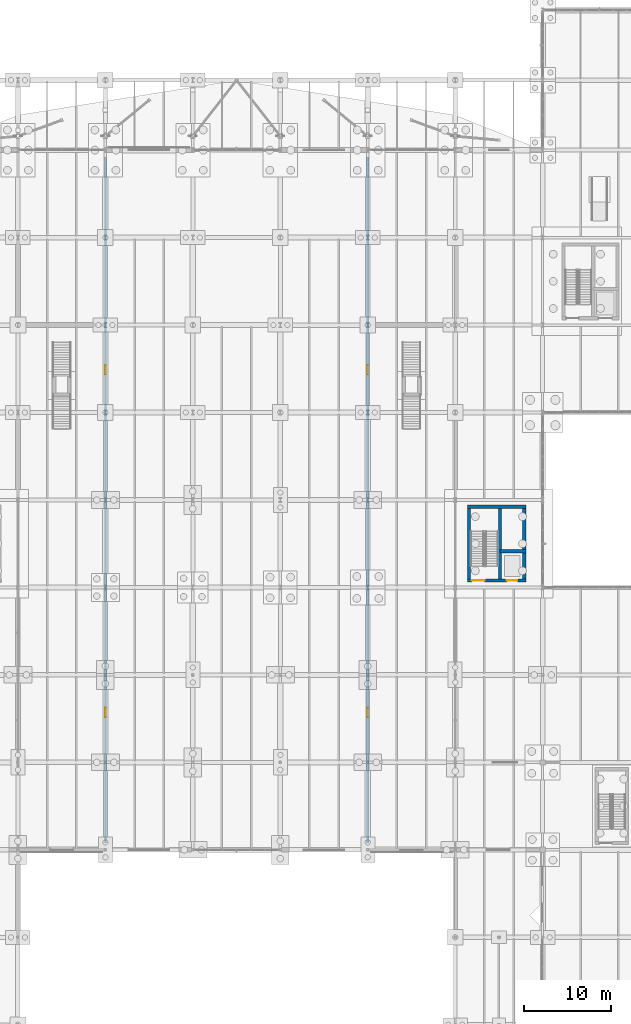
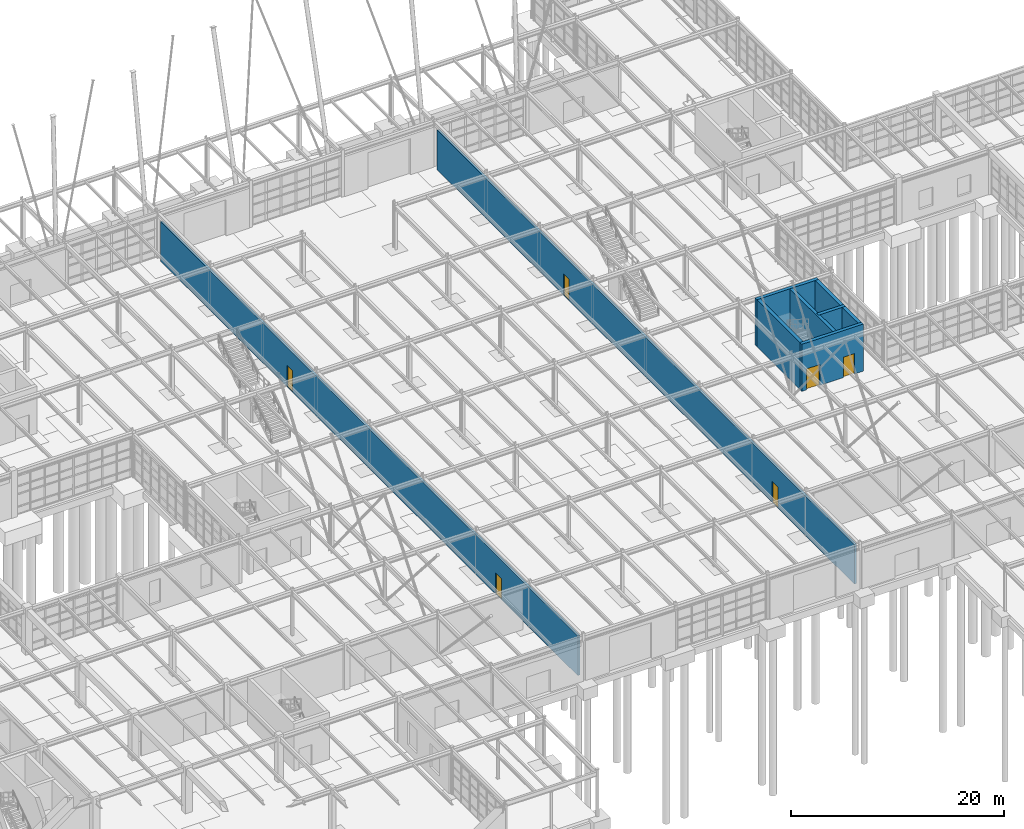
# One storey, part 123 of 145: 8 walls, 6 doors, 6 openings.
"""IFC4 building model written with IfcOpenShell, lengths in metres."""

from ifc_helpers import new_model, si_unit, direction, frame, frame_2d, origin, place, context, subcontext, project, spatial, rectangle, extrude, material, layer, layer_set, type_object, element, fill, save


model = new_model("IFC4")

# Units and contexts
model_context = context("Model", 3, precision=1e-05, world=origin(), true_north=direction((0.0, 1.0)))
body_context = subcontext(model_context, "Body", "Model", "MODEL_VIEW")
ifc_project = project(units=[si_unit("LENGTHUNIT", "METRE"), si_unit("AREAUNIT", "SQUARE_METRE"), si_unit("VOLUMEUNIT", "CUBIC_METRE"), si_unit("PLANEANGLEUNIT", "RADIAN"), si_unit("MASSUNIT", "GRAM", prefix="KILO"), si_unit("THERMODYNAMICTEMPERATUREUNIT", "KELVIN"), si_unit("POWERUNIT", "WATT")], contexts=[model_context])

# Site, building, storey
site_placement = place(None, origin())
site = spatial("IfcSite", under=ifc_project, at=site_placement, CompositionType="ELEMENT")
building_placement = place(site_placement, origin())
building = spatial("IfcBuilding", under=site, at=building_placement, Name="Korenveer Ferry Terminal", CompositionType="ELEMENT")
storey_placement = place(building_placement, origin())
storey = spatial("IfcBuildingStorey", under=building, at=storey_placement, Name="L00", CompositionType="ELEMENT", Elevation=0.0)

# Wall, openings, doors
ifc_material_1 = material(Name="Calcium silicate fire compartment masonry", Category="masonry")
ifc_layer_1 = layer(ifc_material_1, 0.239990234375)
ifc_layer_set_1 = layer_set([ifc_layer_1], Name="Calcium silicate fire compartment masonry")
wall_type_1 = type_object("IfcWallType", Name="INT-WL-COMP240", PredefinedType="PARTITIONING", material=ifc_layer_set_1)
wall_1_placement = place(storey_placement, frame((73.0, 20.800048828125, 0.0), z_axis=(0.0, 0.0, 1.0), x_axis=(0.0, 1.0, 0.0)))
wall_1 = element("IfcWall", 1, at=wall_1_placement, inside=storey, type_object=wall_type_1, Name="Interior partition PWL-L00-014", PredefinedType="PARTITIONING", context=body_context, shape_type="SweptSolid", body=[
    extrude(rectangle(XDim=78.39990234375, YDim=0.239990234375, at=frame_2d((39.199951171875, 0.0))), origin(), (0.0, 0.0, 1.0), 4.550048828125),
])
opening_1_placement = place(wall_1_placement, frame((14.37109375, 0.0, 0.0)))
opening_1 = element("IfcOpeningElement", 2, at=opening_1_placement, cuts=wall_1, Name="Opening ID-013", PredefinedType="OPENING", context=body_context, shape_type="SweptSolid", body=[
    extrude(rectangle(XDim=1.050048828125, YDim=2.449951171875, at=frame_2d((0.52490234375, 1.22509765625))), frame((0.0, 0.1298828125, 0.0), z_axis=(0.0, -1.0, 0.0), x_axis=(1.0, 0.0, 0.0)), (0.0, 0.0, 1.0), 0.260009765625),
])
opening_2_placement = place(wall_1_placement, frame((53.571044921875, 0.0, 0.0)))
opening_2 = element("IfcOpeningElement", 3, at=opening_2_placement, cuts=wall_1, Name="Opening ID-014", PredefinedType="OPENING", context=body_context, shape_type="SweptSolid", body=[
    extrude(rectangle(XDim=1.050048828125, YDim=2.449951171875, at=frame_2d((0.52490234375, 1.22509765625))), frame((0.0, 0.1298828125, 0.0), z_axis=(0.0, -1.0, 0.0), x_axis=(1.0, 0.0, 0.0)), (0.0, 0.0, 1.0), 0.260009765625),
])
ifc_material_2 = material(Name="Solid hardwood and steel acoustic door", Category="steel")
door_type_1 = type_object("IfcDoorType", Name="INT-DR-RM105B", OperationType="NOTDEFINED", PredefinedType="DOOR", material=ifc_material_2)
door_1_placement = place(opening_1_placement, origin())
door_1 = element("IfcDoor", 4, at=door_1_placement, inside=storey, type_object=door_type_1, Name="Car Park Pedestrian Escape Door W1", OperationType="SINGLE_SWING_RIGHT", OverallHeight=2.449951171875, OverallWidth=1.050048828125, PredefinedType="DOOR", context=body_context, shape_type="SweptSolid", body=[
    extrude(rectangle(XDim=1.050048828125, YDim=2.449951171875, at=frame_2d((0.52490234375, 1.22509765625))), frame((0.0, 0.02490234375, 0.0), z_axis=(0.0, -1.0, 0.0), x_axis=(1.0, 0.0, 0.0)), (0.0, 0.0, 1.0), 0.050048828125),
])
fill(opening_1, door_1)
door_2_placement = place(opening_2_placement, origin())
door_2 = element("IfcDoor", 5, at=door_2_placement, inside=storey, type_object=door_type_1, Name="Car Park Pedestrian Escape Door W2", OperationType="SINGLE_SWING_LEFT", OverallHeight=2.449951171875, OverallWidth=1.050048828125, PredefinedType="DOOR", context=body_context, shape_type="SweptSolid", body=[
    extrude(rectangle(XDim=1.050048828125, YDim=2.449951171875, at=frame_2d((0.52490234375, 1.22509765625))), frame((0.0, 0.02490234375, 0.0), z_axis=(0.0, -1.0, 0.0), x_axis=(1.0, 0.0, 0.0)), (0.0, 0.0, 1.0), 0.050048828125),
])
fill(opening_2, door_2)

wall_2_placement = place(storey_placement, frame((103.0, 20.800048828125, 0.0), z_axis=(0.0, 0.0, 1.0), x_axis=(0.0, 1.0, 0.0)))
wall_2 = element("IfcWall", 6, at=wall_2_placement, inside=storey, type_object=wall_type_1, Name="Interior partition PWL-L00-015", PredefinedType="PARTITIONING", context=body_context, shape_type="SweptSolid", body=[
    extrude(rectangle(XDim=78.39990234375, YDim=0.239990234375, at=frame_2d((39.199951171875, 0.0))), origin(), (0.0, 0.0, 1.0), 4.550048828125),
])
opening_3_placement = place(wall_2_placement, frame((14.37109375, 0.0, 0.0)))
opening_3 = element("IfcOpeningElement", 7, at=opening_3_placement, cuts=wall_2, Name="Opening ID-015", PredefinedType="OPENING", context=body_context, shape_type="SweptSolid", body=[
    extrude(rectangle(XDim=1.050048828125, YDim=2.449951171875, at=frame_2d((0.52490234375, 1.22509765625))), frame((0.0, 0.1298828125, 0.0), z_axis=(0.0, -1.0, 0.0), x_axis=(1.0, 0.0, 0.0)), (0.0, 0.0, 1.0), 0.260009765625),
])
opening_4_placement = place(wall_2_placement, frame((53.571044921875, 0.0, 0.0)))
opening_4 = element("IfcOpeningElement", 8, at=opening_4_placement, cuts=wall_2, Name="Opening ID-016", PredefinedType="OPENING", context=body_context, shape_type="SweptSolid", body=[
    extrude(rectangle(XDim=1.050048828125, YDim=2.449951171875, at=frame_2d((0.52490234375, 1.22509765625))), frame((0.0, 0.1298828125, 0.0), z_axis=(0.0, -1.0, 0.0), x_axis=(1.0, 0.0, 0.0)), (0.0, 0.0, 1.0), 0.260009765625),
])
door_3_placement = place(opening_3_placement, origin())
door_3 = element("IfcDoor", 9, at=door_3_placement, inside=storey, type_object=door_type_1, Name="Car Park Pedestrian Escape Door E1", OperationType="SINGLE_SWING_RIGHT", OverallHeight=2.449951171875, OverallWidth=1.050048828125, PredefinedType="DOOR", context=body_context, shape_type="SweptSolid", body=[
    extrude(rectangle(XDim=1.050048828125, YDim=2.449951171875, at=frame_2d((0.52490234375, 1.22509765625))), frame((0.0, 0.02490234375, 0.0), z_axis=(0.0, -1.0, 0.0), x_axis=(1.0, 0.0, 0.0)), (0.0, 0.0, 1.0), 0.050048828125),
])
fill(opening_3, door_3)
door_4_placement = place(opening_4_placement, origin())
door_4 = element("IfcDoor", 10, at=door_4_placement, inside=storey, type_object=door_type_1, Name="Car Park Pedestrian Escape Door E2", OperationType="SINGLE_SWING_LEFT", OverallHeight=2.449951171875, OverallWidth=1.050048828125, PredefinedType="DOOR", context=body_context, shape_type="SweptSolid", body=[
    extrude(rectangle(XDim=1.050048828125, YDim=2.449951171875, at=frame_2d((0.52490234375, 1.22509765625))), frame((0.0, 0.02490234375, 0.0), z_axis=(0.0, -1.0, 0.0), x_axis=(1.0, 0.0, 0.0)), (0.0, 0.0, 1.0), 0.050048828125),
])
fill(opening_4, door_4)

ifc_material_3 = material(Name="Concrete C45/55", Category="concrete")
ifc_layer_2 = layer(ifc_material_3, 0.360107421875)
ifc_layer_set_2 = layer_set([ifc_layer_2], Name="Concrete C45/55")
wall_type_2 = type_object("IfcWallType", Name="INT-WL-CORE360", PredefinedType="SHEAR", material=ifc_layer_set_2)
wall_3_placement = place(storey_placement, frame((114.39990234375, 50.780029296875, 0.0), z_axis=(0.0, 0.0, 1.0), x_axis=(1.0, 0.0, 0.0)))
wall_3 = element("IfcWall", 11, at=wall_3_placement, inside=storey, type_object=wall_type_2, Name="Departure East Core K6 south shear wall L00", PredefinedType="SHEAR", context=body_context, shape_type="SweptSolid", body=[
    extrude(rectangle(XDim=6.68017578125, YDim=0.360107421875, at=frame_2d((3.340087890625, 0.0))), origin(), (0.0, 0.0, 1.0), 5.39990234375),
])
opening_5_placement = place(wall_3_placement, frame((0.510009765625, 0.0, 0.0)))
opening_5 = element("IfcOpeningElement", 12, at=opening_5_placement, cuts=wall_3, Name="Opening SD-20", PredefinedType="OPENING", context=body_context, shape_type="SweptSolid", body=[
    extrude(rectangle(XDim=1.449951171875, YDim=2.39990234375, at=frame_2d((0.72509765625, 1.199951171875))), frame((0.0, 0.18994140625, 0.0), z_axis=(0.0, -1.0, 0.0), x_axis=(1.0, 0.0, 0.0)), (0.0, 0.0, 1.0), 0.380126953125),
])
opening_6_placement = place(wall_3_placement, frame((4.52001953125, 0.0, 0.0)))
opening_6 = element("IfcOpeningElement", 13, at=opening_6_placement, cuts=wall_3, Name="Opening LD-20", PredefinedType="OPENING", context=body_context, shape_type="SweptSolid", body=[
    extrude(rectangle(XDim=1.199951171875, YDim=2.35009765625, at=frame_2d((0.60009765625, 1.175048828125))), frame((0.0, 0.18994140625, 0.0), z_axis=(0.0, -1.0, 0.0), x_axis=(1.0, 0.0, 0.0)), (0.0, 0.0, 1.0), 0.380126953125),
])
door_type_2 = type_object("IfcDoorType", Name="INT-DR-LD120", OperationType="SLIDING_TO_LEFT", PredefinedType="DOOR", material=ifc_material_2)
door_5_placement = place(opening_6_placement, origin())
door_5 = element("IfcDoor", 14, at=door_5_placement, inside=storey, type_object=door_type_2, Name="Lift LP4 Sliding Landing Door L00", OperationType="SLIDING_TO_LEFT", OverallHeight=2.35009765625, OverallWidth=1.199951171875, PredefinedType="DOOR", context=body_context, shape_type="SweptSolid", body=[
    extrude(rectangle(XDim=1.199951171875, YDim=2.35009765625, at=frame_2d((0.60009765625, 1.175048828125))), frame((0.0, 0.02490234375, 0.0), z_axis=(0.0, -1.0, 0.0), x_axis=(1.0, 0.0, 0.0)), (0.0, 0.0, 1.0), 0.050048828125),
])
fill(opening_6, door_5)
door_type_3 = type_object("IfcDoorType", Name="INT-DR-ST145", OperationType="NOTDEFINED", PredefinedType="DOOR", material=ifc_material_2)
door_6_placement = place(opening_5_placement, origin())
door_6 = element("IfcDoor", 15, at=door_6_placement, inside=storey, type_object=door_type_3, Name="ST06 Stair Door L00", OperationType="SINGLE_SWING_RIGHT", OverallHeight=2.39990234375, OverallWidth=1.449951171875, PredefinedType="DOOR", context=body_context, shape_type="SweptSolid", body=[
    extrude(rectangle(XDim=1.449951171875, YDim=2.39990234375, at=frame_2d((0.72509765625, 1.199951171875))), frame((0.0, 0.02490234375, 0.0), z_axis=(0.0, -1.0, 0.0), x_axis=(1.0, 0.0, 0.0)), (0.0, 0.0, 1.0), 0.050048828125),
])
fill(opening_5, door_6)

# Walls
wall_4_placement = place(storey_placement, frame((114.39990234375, 59.219970703125, 0.0), z_axis=(0.0, 0.0, 1.0), x_axis=(1.0, 0.0, 0.0)))
element("IfcWall", 16, at=wall_4_placement, inside=storey, type_object=wall_type_2, Name="Departure East Core K6 north shear wall L00", PredefinedType="SHEAR", context=body_context, shape_type="SweptSolid", body=[
    extrude(rectangle(XDim=6.68017578125, YDim=0.360107421875, at=frame_2d((3.340087890625, 0.0))), origin(), (0.0, 0.0, 1.0), 5.39990234375),
])
for number, where, z_axis, x_axis, name in (
    (17, (114.580078125, 50.60009765625, 0.0), (0.0, 0.0, 1.0), (0.0, 1.0, 0.0), "Departure East Core K6 west shear wall L00"),
    (18, (120.89990234375, 50.60009765625, 0.0), (0.0, 0.0, 1.0), (0.0, 1.0, 0.0), "Departure East Core K6 east shear wall L00"),
    (19, (118.139892578125, 50.60009765625, 0.0), (0.0, 0.0, 1.0), (0.0, 1.0, 0.0), "Departure East Core K6 shaft divider wall L00"),
):
    element("IfcWall", number, at=place(storey_placement, frame(where, z_axis=z_axis, x_axis=x_axis)), inside=storey, type_object=wall_type_2, Name=name, PredefinedType="SHEAR", context=body_context, shape_type="SweptSolid", body=[
        extrude(rectangle(XDim=8.7998046875, YDim=0.360107421875, at=frame_2d((4.39990234375, 0.0))), origin(), (0.0, 0.0, 1.0), 5.39990234375),
    ])
wall_5_placement = place(storey_placement, frame((118.139892578125, 54.139892578125, 0.0), z_axis=(0.0, 0.0, 1.0), x_axis=(1.0, 0.0, 0.0)))
element("IfcWall", 20, at=wall_5_placement, inside=storey, type_object=wall_type_2, Name="Departure East Core K6 lift shaft wall L00", PredefinedType="SHEAR", context=body_context, shape_type="SweptSolid", body=[
    extrude(rectangle(XDim=2.940185546875, YDim=0.360107421875, at=frame_2d((1.47021484375, 0.0))), origin(), (0.0, 0.0, 1.0), 5.39990234375),
])

save(model, "model.ifc")
